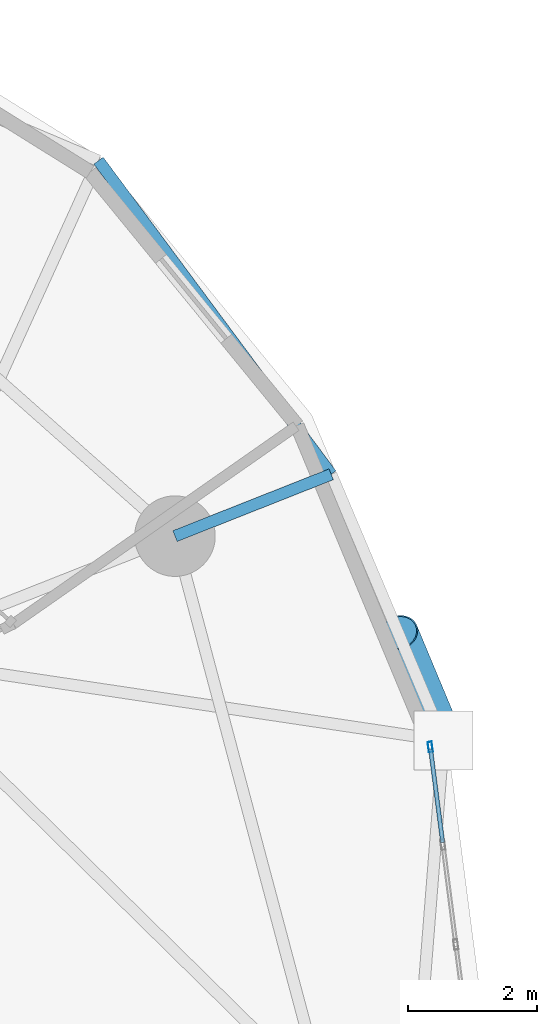
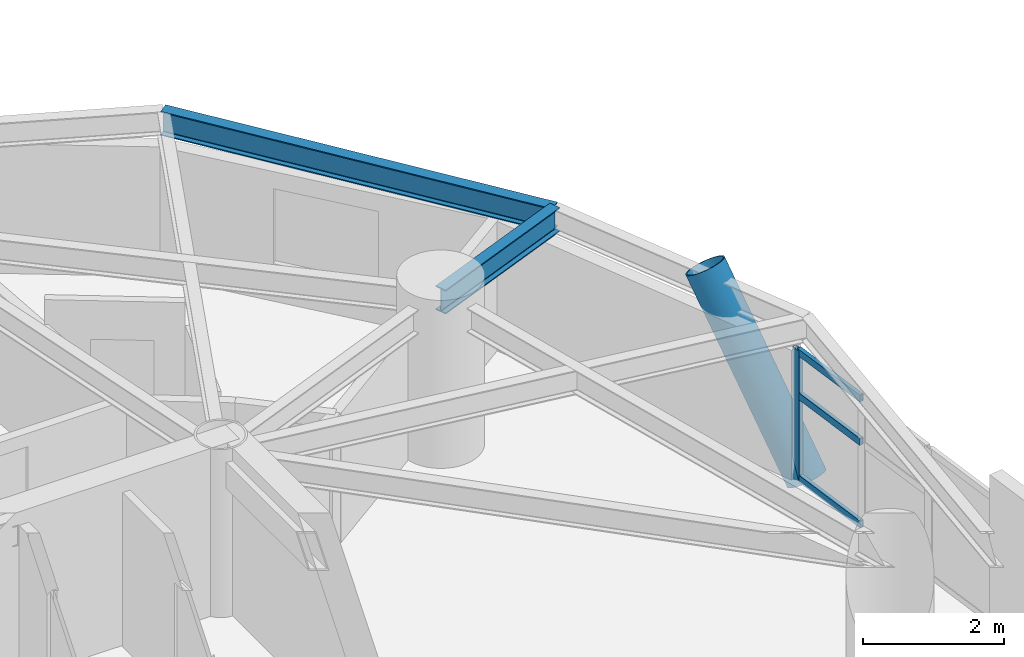
# One storey, part 5 of 19: 5 members, 2 beams, 1 element without a shape of its own.
"""IFC4 building model written with IfcOpenShell, lengths in metres."""

from ifc_helpers import new_model, si_unit, direction, frame, origin, origin_2d, place, context, subcontext, project, spatial, hollow_rectangle, hollow_circle, i_section, extrude, material, layer, layer_set, material_profile, profile_set, type_object, element, aggregate, save


model = new_model("IFC4")

# Units and contexts
model_context = context("Model", 3, precision=1e-05, world=origin(), true_north=direction((0.0, 1.0)))
body_context = subcontext(model_context, "Body", "Model", "MODEL_VIEW")
ifc_project = project(units=[si_unit("LENGTHUNIT", "METRE"), si_unit("AREAUNIT", "SQUARE_METRE"), si_unit("VOLUMEUNIT", "CUBIC_METRE"), si_unit("PLANEANGLEUNIT", "RADIAN"), si_unit("MASSUNIT", "GRAM", prefix="KILO")], contexts=[model_context])

# Site, building, storey
site_placement = place(None, origin())
site = spatial("IfcSite", under=ifc_project, at=site_placement, CompositionType="ELEMENT")
building_placement = place(site_placement, origin())
building = spatial("IfcBuilding", under=site, at=building_placement, Name="Cununo Teusaquillo Station Towers", CompositionType="ELEMENT")
storey_placement = place(building_placement, frame((0.0, 0.0, 151.60009765625)))
storey = spatial("IfcBuildingStorey", under=building, at=storey_placement, Name="L47", CompositionType="ELEMENT", Elevation=151.60009765625)

# Beams
ifc_material_1 = material(Name="Steel ASTM A572 Grade 50", Category="steel")
ifc_material_profile_1 = material_profile(ifc_material_1, i_section(OverallWidth=0.180908203125, OverallDepth=0.4169921875, WebThickness=0.010986328125, FlangeThickness=0.018310546875, FilletRadius=0.012939453125, at=origin_2d()), Name="W16X57")
ifc_profile_set_1 = profile_set([ifc_material_profile_1], Name="Steel ASTM A572 Grade 50")
beam_type_1 = type_object("IfcBeamType", Name="BM-RAD-G2", PredefinedType="BEAM", material=ifc_profile_set_1)
beam_1_placement = place(storey_placement, frame((26.347412109375, 33.228515625, 2.4814453125), z_axis=(0.929858677495, 0.367916892636, 0.0), x_axis=(-0.367916892636, 0.929858677495, 0.0)))
element("IfcBeam", 1, at=beam_1_placement, inside=storey, type_object=beam_type_1, Name="L47 Tower A Perimeter Overhang Girder 02B", PredefinedType="BEAM", context=body_context, shape_type="SweptSolid", body=[
    extrude(i_section(OverallWidth=0.180908203125, OverallDepth=0.4169921875, WebThickness=0.010986328125, FlangeThickness=0.018310546875, FilletRadius=0.012939453125, at=origin_2d()), origin(), (0.0, 0.0, 1.0), 2.607177734375),
])
ifc_material_2 = material(Name="Steel ASTM A572 Grade 50", Category="steel")
ifc_material_profile_2 = material_profile(ifc_material_2, i_section(OverallWidth=0.180908203125, OverallDepth=0.4169921875, WebThickness=0.010986328125, FlangeThickness=0.018310546875, FilletRadius=0.012939453125, at=origin_2d()), Name="W16X57")
ifc_profile_set_2 = profile_set([ifc_material_profile_2], Name="Steel ASTM A572 Grade 50")
beam_type_2 = type_object("IfcBeamType", Name="BM-RING-Z3", PredefinedType="SPANDREL", material=ifc_profile_set_2)
beam_2_placement = place(storey_placement, frame((28.771728515625, 34.187744140625, 2.4814453125), z_axis=(-0.595872908853, 0.803078748626, 0.0), x_axis=(-0.803078748626, -0.595872908853, 0.0)))
element("IfcBeam", 2, at=beam_2_placement, inside=storey, type_object=beam_type_2, Name="L47 Tower A Spandrel Ring Beam 03", PredefinedType="SPANDREL", context=body_context, shape_type="SweptSolid", body=[
    extrude(i_section(OverallWidth=0.180908203125, OverallDepth=0.4169921875, WebThickness=0.010986328125, FlangeThickness=0.018310546875, FilletRadius=0.012939453125, at=origin_2d()), origin(), (0.0, 0.0, 1.0), 6.059814453125),
])

# Curtain wall, members
ifc_material_3 = material(Name="Operable acoustic tinted low-E double glazing", Category="glass")
ifc_layer = layer(ifc_material_3, 0.179931640625)
ifc_layer_set = layer_set([ifc_layer], Name="Operable acoustic tinted low-E double glazing")
curtain_wall_type = type_object("IfcCurtainWallType", Name="CW-SYS-06", PredefinedType="USERDEFINED", material=ifc_layer_set)
curtain_wall_placement = place(storey_placement, origin())
curtain_wall = element("IfcCurtainWall", 3, at=curtain_wall_placement, inside=storey, type_object=curtain_wall_type, Name="L47 Tower A Facade Curtain Wall C00", ObjectType="OPERABLE GLAZING", PredefinedType="USERDEFINED")
ifc_material_4 = material(Name="Anodised dark bronze aluminium EN AW-6063-T6", Category="aluminium")
ifc_material_profile_3 = material_profile(ifc_material_4, hollow_rectangle(XDim=0.06494140625, YDim=0.159912109375, WallThickness=0.00390625, at=origin_2d()), Name="CW-MULL-65x160")
ifc_profile_set_3 = profile_set([ifc_material_profile_3], Name="Anodised dark bronze aluminium EN AW-6063-T6")
member_type_1 = type_object("IfcMemberType", Name="CWM-160", PredefinedType="MULLION", material=ifc_profile_set_3)
member_1_placement = place(storey_placement, frame((30.308837890625, 29.958984375, 0.0), z_axis=(0.0, 0.0, 1.0), x_axis=(0.991736321922, 0.128292898403, 0.0)))
member_1 = element("IfcMember", 4, at=member_1_placement, type_object=member_type_1, Name="CW-06 mullion 1", PredefinedType="MULLION", context=body_context, shape_type="SweptSolid", body=[
    extrude(hollow_rectangle(XDim=0.06494140625, YDim=0.159912109375, WallThickness=0.00390625, at=origin_2d()), origin(), (0.0, 0.0, 1.0), 2.244873046875),
])
ifc_material_5 = material(Name="Anodised dark bronze aluminium EN AW-6063-T6", Category="aluminium")
ifc_material_profile_4 = material_profile(ifc_material_5, hollow_rectangle(XDim=0.06494140625, YDim=0.1201171875, WallThickness=0.00390625, at=origin_2d()), Name="CW-TRAN-65x120")
ifc_profile_set_4 = profile_set([ifc_material_profile_4], Name="Anodised dark bronze aluminium EN AW-6063-T6")
member_type_2 = type_object("IfcMemberType", Name="CWT-120", PredefinedType="USERDEFINED", material=ifc_profile_set_4)
member_2_placement = place(storey_placement, frame((30.31298828125, 29.9267578125, 0.032470703125), z_axis=(0.128341533193, -0.99173002922, 0.0), x_axis=(0.99173002922, 0.128341533193, 0.0)))
member_2 = element("IfcMember", 5, at=member_2_placement, type_object=member_type_2, Name="CW-06 transom 1.1", ObjectType="TRANSOM", PredefinedType="USERDEFINED", context=body_context, shape_type="SweptSolid", body=[
    extrude(hollow_rectangle(XDim=0.06494140625, YDim=0.1201171875, WallThickness=0.00390625, at=origin_2d()), origin(), (0.0, 0.0, 1.0), 1.46484375),
])
member_3_placement = place(storey_placement, frame((30.31298828125, 29.9267578125, 1.458984375), z_axis=(0.128341533193, -0.99173002922, 0.0), x_axis=(0.99173002922, 0.128341533193, 0.0)))
member_3 = element("IfcMember", 6, at=member_3_placement, type_object=member_type_2, Name="CW-06 transom 1.2", ObjectType="TRANSOM", PredefinedType="USERDEFINED", context=body_context, shape_type="SweptSolid", body=[
    extrude(hollow_rectangle(XDim=0.06494140625, YDim=0.1201171875, WallThickness=0.00390625, at=origin_2d()), origin(), (0.0, 0.0, 1.0), 1.46484375),
])
member_4_placement = place(storey_placement, frame((30.31298828125, 29.9267578125, 2.21240234375), z_axis=(0.128341533193, -0.99173002922, 0.0), x_axis=(0.99173002922, 0.128341533193, 0.0)))
member_4 = element("IfcMember", 7, at=member_4_placement, type_object=member_type_2, Name="CW-06 transom 1.3", ObjectType="TRANSOM", PredefinedType="USERDEFINED", context=body_context, shape_type="SweptSolid", body=[
    extrude(hollow_rectangle(XDim=0.06494140625, YDim=0.1201171875, WallThickness=0.00390625, at=origin_2d()), origin(), (0.0, 0.0, 1.0), 1.46484375),
])
aggregate(curtain_wall, [member_1, member_2, member_3, member_4])

# Member
ifc_material_6 = material(Name="Steel EN 10025-2 S355J2", Category="steel")
ifc_material_profile_5 = material_profile(ifc_material_6, hollow_circle(Radius=0.304931640625, WallThickness=0.02001953125, at=origin_2d()), Name="CHS 610x20")
ifc_profile_set_5 = profile_set([ifc_material_profile_5], Name="Steel EN 10025-2 S355J2")
member_type_3 = type_object("IfcMemberType", Name="MBR-DIAG-Z3", PredefinedType="BRACE", material=ifc_profile_set_5)
member_5_placement = place(storey_placement, frame((30.513916015625, 30.05908203125, -0.14013671875), z_axis=(-0.20354676264, 0.487714566326, 0.848942411011), x_axis=(-0.922853492417, -0.385151180101, 0.0)))
element("IfcMember", 8, at=member_5_placement, inside=storey, type_object=member_type_3, Name="L47 Tower A Folded-Zigzag Diagrid Tube C01", PredefinedType="BRACE", context=body_context, shape_type="SweptSolid", body=[
    extrude(hollow_circle(Radius=0.304931640625, WallThickness=0.02001953125, at=origin_2d()), origin(), (0.0, 0.0, 1.0), 3.427978515625),
])

save(model, "model.ifc")
